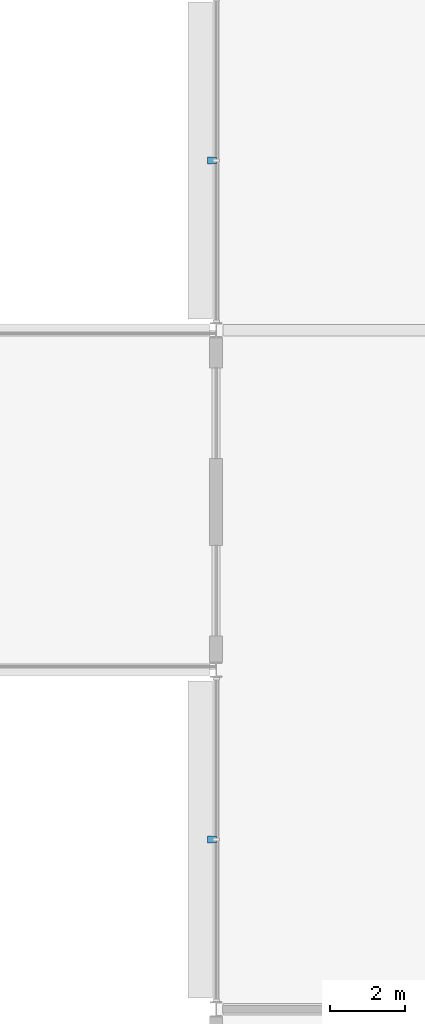
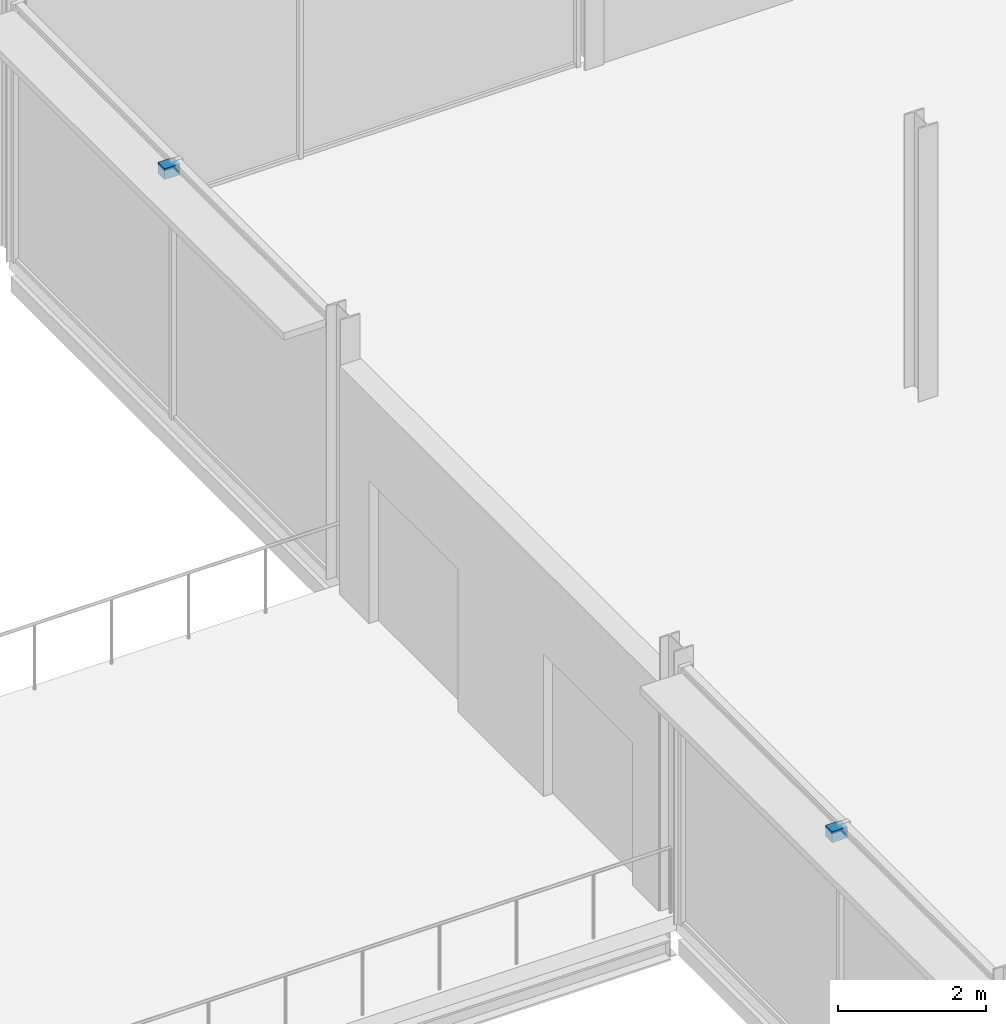
# One storey, part 57 of 73: 2 discrete accessories.
"""IFC4 building model written with IfcOpenShell, lengths in metres."""

from ifc_helpers import new_model, si_unit, direction, frame, origin, origin_2d, place, context, subcontext, project, spatial, rectangle, extrude, material, type_object, element, save


model = new_model("IFC4")

# Units and contexts
model_context = context("Model", 3, precision=1e-05, world=origin(), true_north=direction((0.0, 1.0)))
body_context = subcontext(model_context, "Body", "Model", "MODEL_VIEW")
ifc_project = project(units=[si_unit("LENGTHUNIT", "METRE"), si_unit("AREAUNIT", "SQUARE_METRE"), si_unit("VOLUMEUNIT", "CUBIC_METRE"), si_unit("PLANEANGLEUNIT", "RADIAN"), si_unit("MASSUNIT", "GRAM", prefix="KILO")], contexts=[model_context])

# Site, building, storey
site_placement = place(None, origin())
site = spatial("IfcSite", under=ifc_project, at=site_placement, CompositionType="ELEMENT")
building_placement = place(site_placement, origin())
building = spatial("IfcBuilding", under=site, at=building_placement, Name="Kisiwana Market Hall", CompositionType="ELEMENT")
storey_placement = place(building_placement, frame((0.0, 0.0, 33.300048828125)))
storey = spatial("IfcBuildingStorey", under=building, at=storey_placement, Name="L07", CompositionType="ELEMENT", Elevation=33.300048828125)

# Discrete accessories
ifc_material = material(Name="Steel S355", Category="steel")
discrete_accessory_type = type_object("IfcDiscreteAccessoryType", Name="ACC-BRACKET-STL", PredefinedType="BRACKET", material=ifc_material)
for number, where, z_axis, x_axis, name in (
    (1, (152.889892578125, 88.5, 4.044921875), (0.0, 0.0, 1.0), (0.0, 1.0, 0.0), "Sunshade steel bracket BRK-142"),
    (2, (152.889892578125, 106.5, 4.044921875), (0.0, 0.0, 1.0), (0.0, 1.0, 0.0), "Sunshade steel bracket BRK-144"),
):
    element("IfcDiscreteAccessory", number, at=place(storey_placement, frame(where, z_axis=z_axis, x_axis=x_axis)), inside=storey, type_object=discrete_accessory_type, Name=name, PredefinedType="BRACKET", context=body_context, shape_type="SweptSolid", body=[
        extrude(rectangle(XDim=0.179931640625, YDim=0.239990234375, at=origin_2d()), origin(), (0.0, 0.0, 1.0), 0.179931640625),
    ])

save(model, "model.ifc")
